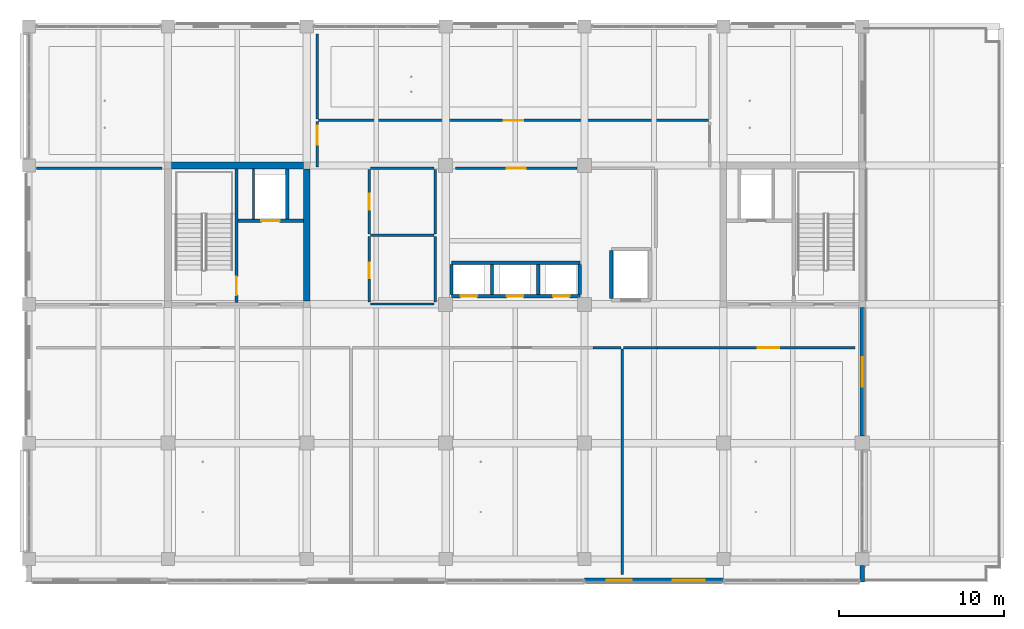
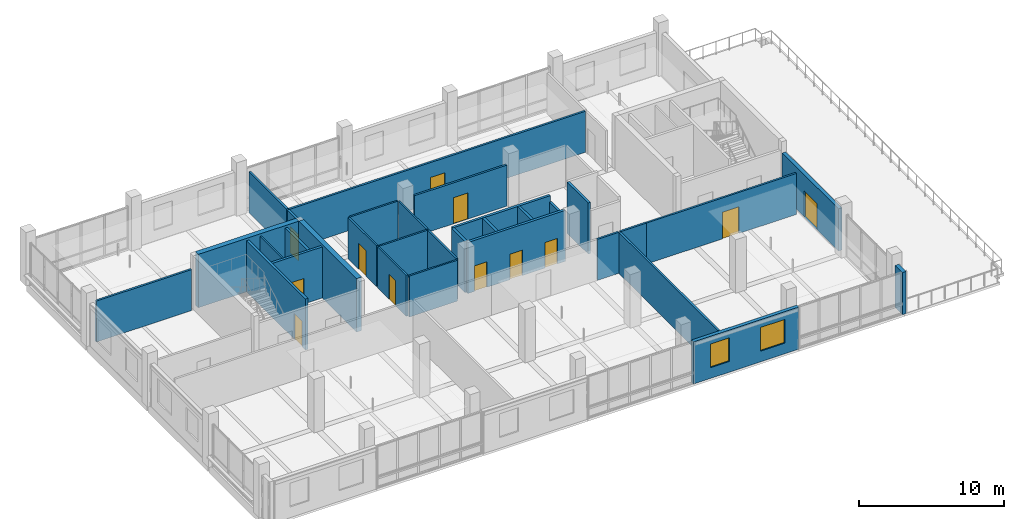
# One storey, part 12 of 36: 32 walls, 12 doors, 2 windows, 14 openings.
"""IFC4 building model written with IfcOpenShell, lengths in metres."""

from ifc_helpers import new_model, si_unit, direction, frame, frame_2d, origin, place, context, subcontext, project, spatial, rectangle, extrude, material, layer, layer_set, type_object, element, fill, save


model = new_model("IFC4")

# Units and contexts
model_context = context("Model", 3, precision=1e-05, world=origin(), true_north=direction((0.0, 1.0)))
body_context = subcontext(model_context, "Body", "Model", "MODEL_VIEW")
ifc_project = project(units=[si_unit("LENGTHUNIT", "METRE"), si_unit("AREAUNIT", "SQUARE_METRE"), si_unit("VOLUMEUNIT", "CUBIC_METRE"), si_unit("PLANEANGLEUNIT", "RADIAN"), si_unit("MASSUNIT", "GRAM", prefix="KILO")], contexts=[model_context])

# Site, building, storey
site_placement = place(None, origin())
site = spatial("IfcSite", under=ifc_project, at=site_placement, CompositionType="ELEMENT")
building_placement = place(site_placement, origin())
building = spatial("IfcBuilding", under=site, at=building_placement, Name="Telukmera Botanical Conservatory", CompositionType="ELEMENT")
storey_placement = place(building_placement, frame((0.0, 0.0, 33.0)))
storey = spatial("IfcBuildingStorey", under=building, at=storey_placement, Name="L07", CompositionType="ELEMENT", Elevation=33.0)

# Wall, openings, windows
ifc_material_1 = material(Name="Precast concrete C40/50", Category="concrete")
ifc_layer_1 = layer(ifc_material_1, 0.280029296875)
ifc_layer_set_1 = layer_set([ifc_layer_1], Name="Precast concrete C40/50")
wall_type_1 = type_object("IfcWallType", Name="Exterior Laboratory Modular Precast Wall 280", PredefinedType="ELEMENTEDWALL", material=ifc_layer_set_1)
wall_1_placement = place(storey_placement, frame((84.001953125, 9.320068359375, 0.0), z_axis=(0.0, 0.0, 1.0), x_axis=(1.0, 0.0, 0.0)))
wall_1 = element("IfcWall", 1, at=wall_1_placement, inside=storey, type_object=wall_type_1, Name="Exterior Precast Wall EW06 V4:L07:S5", PredefinedType="ELEMENTEDWALL", context=body_context, shape_type="SweptSolid", body=[
    extrude(rectangle(XDim=8.39599609375, YDim=0.280029296875, at=frame_2d((4.197998046875, 0.0))), origin(), (0.0, 0.0, 1.0), 3.550048828125),
])
opening_1_placement = place(wall_1_placement, frame((1.34912109375, 0.0, 0.89990234375)))
opening_1 = element("IfcOpeningElement", 2, at=opening_1_placement, cuts=wall_1, Name="Opening W06", PredefinedType="OPENING", context=body_context, shape_type="SweptSolid", body=[
    extrude(rectangle(XDim=1.5, YDim=2.0, at=frame_2d((0.75, 1.0))), frame((0.0, 0.14990234375, 0.0), z_axis=(0.0, -1.0, 0.0), x_axis=(1.0, 0.0, 0.0)), (0.0, 0.0, 1.0), 0.300048828125),
])
opening_2_placement = place(wall_1_placement, frame((5.322021484375, 0.0, 0.89990234375)))
opening_2 = element("IfcOpeningElement", 3, at=opening_2_placement, cuts=wall_1, Name="Opening W13", PredefinedType="OPENING", context=body_context, shape_type="SweptSolid", body=[
    extrude(rectangle(XDim=1.949951171875, YDim=2.0, at=frame_2d((0.97509765625, 1.0))), frame((0.0, 0.14990234375, 0.0), z_axis=(0.0, -1.0, 0.0), x_axis=(1.0, 0.0, 0.0)), (0.0, 0.0, 1.0), 0.300048828125),
])
ifc_material_2 = material(Name="Thermally broken anodised aluminium frame with low-E double glazing", Category="aluminium")
window_type_1 = type_object("IfcWindowType", Name="Double Vertical Laboratory Viewing Window 1500x2000", PartitioningType="DOUBLE_PANEL_VERTICAL", PredefinedType="WINDOW", material=ifc_material_2)
window_1_placement = place(opening_1_placement, origin())
window_1 = element("IfcWindow", 4, at=window_1_placement, inside=storey, type_object=window_type_1, Name="Facade Window W06 V4:L07:S5 1", OverallHeight=2.0, OverallWidth=1.5, PartitioningType="DOUBLE_PANEL_VERTICAL", PredefinedType="WINDOW", context=body_context, shape_type="SweptSolid", body=[
    extrude(rectangle(XDim=1.5, YDim=2.0, at=frame_2d((0.75, 1.0))), frame((0.0, 0.030029296875, 0.0), z_axis=(0.0, -1.0, 0.0), x_axis=(1.0, 0.0, 0.0)), (0.0, 0.0, 1.0), 0.06005859375),
])
fill(opening_1, window_1)
window_type_2 = type_object("IfcWindowType", Name="Triple Vertical Tissue Culture Lab Window 1950x2000", PartitioningType="TRIPLE_PANEL_VERTICAL", PredefinedType="WINDOW", material=ifc_material_2)
window_2_placement = place(opening_2_placement, origin())
window_2 = element("IfcWindow", 5, at=window_2_placement, inside=storey, type_object=window_type_2, Name="Facade Window W13 V4:L07:S5 2", OverallHeight=2.0, OverallWidth=1.949951171875, PartitioningType="TRIPLE_PANEL_VERTICAL", PredefinedType="WINDOW", context=body_context, shape_type="SweptSolid", body=[
    extrude(rectangle(XDim=1.949951171875, YDim=2.0, at=frame_2d((0.97509765625, 1.0))), frame((0.0, 0.030029296875, 0.0), z_axis=(0.0, -1.0, 0.0), x_axis=(1.0, 0.0, 0.0)), (0.0, 0.0, 1.0), 0.06005859375),
])
fill(opening_2, window_2)

# Wall, opening, door
wall_2_placement = place(storey_placement, frame((100.800048828125, 18.027099609375, 0.0), z_axis=(0.0, 0.0, 1.0), x_axis=(0.0, 1.0, 0.0)))
wall_2 = element("IfcWall", 6, at=wall_2_placement, inside=storey, type_object=wall_type_1, Name="Exterior Precast Wall EW06 V4:L07:E2", PredefinedType="ELEMENTEDWALL", context=body_context, shape_type="SweptSolid", body=[
    extrude(rectangle(XDim=7.77099609375, YDim=0.280029296875, at=frame_2d((3.885498046875, 0.0))), origin(), (0.0, 0.0, 1.0), 3.550048828125),
])
opening_3_placement = place(wall_2_placement, frame((2.985595703125, 0.0, 0.0)))
opening_3 = element("IfcOpeningElement", 7, at=opening_3_placement, cuts=wall_2, Name="Opening DT701", PredefinedType="OPENING", context=body_context, shape_type="SweptSolid", body=[
    extrude(rectangle(XDim=1.800048828125, YDim=2.199951171875, at=frame_2d((0.89990234375, 1.10009765625))), frame((0.0, 0.14990234375, 0.0), z_axis=(0.0, -1.0, 0.0), x_axis=(1.0, 0.0, 0.0)), (0.0, 0.0, 1.0), 0.300048828125),
])
ifc_material_3 = material(Name="Thermally broken anodised aluminium glazed door assembly", Category="aluminium")
door_type_1 = type_object("IfcDoorType", Name="Level 07 Botanical Sky Terrace South Glazed Door 1800x2200", OperationType="NOTDEFINED", PredefinedType="DOOR", material=ifc_material_3)
door_1_placement = place(opening_3_placement, frame((1.800048828125, 0.0, 0.0), z_axis=(0.0, 0.0, 1.0), x_axis=(-1.0, 0.0, 0.0)))
door_1 = element("IfcDoor", 8, at=door_1_placement, inside=storey, type_object=door_type_1, Name="Exterior Door DT701", OperationType="DOUBLE_DOOR_SINGLE_SWING", OverallHeight=2.199951171875, OverallWidth=1.800048828125, PredefinedType="DOOR", context=body_context, shape_type="SweptSolid", body=[
    extrude(rectangle(XDim=1.800048828125, YDim=2.199951171875, at=frame_2d((0.89990234375, 1.10009765625))), frame((0.0, 0.02490234375, 0.0), z_axis=(0.0, -1.0, 0.0), x_axis=(1.0, 0.0, 0.0)), (0.0, 0.0, 1.0), 0.050048828125),
])
fill(opening_3, door_1)

# Wall
ifc_material_4 = material(Name="Terracotta-faced precast concrete C40/50", Category="masonry")
ifc_layer_2 = layer(ifc_material_4, 0.300048828125)
ifc_layer_set_2 = layer_set([ifc_layer_2], Name="Terracotta-faced precast concrete C40/50")
wall_type_2 = type_object("IfcWallType", Name="Exterior Polychrome Terracotta Precast Wall 300", PredefinedType="SOLIDWALL", material=ifc_layer_set_2)
wall_3_placement = place(storey_placement, frame((100.800048828125, 9.199951171875, 0.0), z_axis=(0.0, 0.0, 1.0), x_axis=(0.0, 1.0, 0.0)))
element("IfcWall", 9, at=wall_3_placement, inside=storey, type_object=wall_type_2, Name="Exterior Precast Wall EW02 V4:L07:SEC", PredefinedType="SOLIDWALL", context=body_context, shape_type="SweptSolid", body=[
    extrude(rectangle(XDim=0.998046875, YDim=0.300048828125, at=frame_2d((0.4990234375, 0.0))), origin(), (0.0, 0.0, 1.0), 3.550048828125),
])

# Wall, opening, door
ifc_material_5 = material(Name="Concrete C40/50", Category="concrete")
ifc_layer_3 = layer(ifc_material_5, 0.199951171875)
ifc_layer_set_3 = layer_set([ifc_layer_3], Name="Concrete C40/50")
wall_type_3 = type_object("IfcWallType", Name="WT-CORE-200", PredefinedType="SOLIDWALL", material=ifc_layer_set_3)
wall_4_placement = place(storey_placement, frame((62.949951171875, 26.10009765625, 0.0), z_axis=(0.0, 0.0, 1.0), x_axis=(0.0, 1.0, 0.0)))
wall_4 = element("IfcWall", 10, at=wall_4_placement, inside=storey, type_object=wall_type_3, Name="L07 Core C1 Stair-Lobby Wall", PredefinedType="SOLIDWALL", context=body_context, shape_type="SweptSolid", body=[
    extrude(rectangle(XDim=8.099853515625, YDim=0.199951171875, at=frame_2d((4.0498046875, 0.0))), origin(), (0.0, 0.0, 1.0), 4.300048828125),
])
opening_4_placement = place(wall_4_placement, frame((0.449951171875, 0.0, 0.0)))
opening_4 = element("IfcOpeningElement", 11, at=opening_4_placement, cuts=wall_4, Name="Opening FD60B", PredefinedType="OPENING", context=body_context, shape_type="SweptSolid", body=[
    extrude(rectangle(XDim=1.1201171875, YDim=2.14990234375, at=frame_2d((0.56005859375, 1.074951171875))), frame((0.0, 0.10986328125, 0.0), z_axis=(0.0, -1.0, 0.0), x_axis=(1.0, 0.0, 0.0)), (0.0, 0.0, 1.0), 0.219970703125),
])
ifc_material_6 = material(Name="Hardwood fire door", Category="wood")
door_type_2 = type_object("IfcDoorType", Name="DT-FD60-02", OperationType="NOTDEFINED", PredefinedType="DOOR", material=ifc_material_6)
door_2_placement = place(opening_4_placement, origin())
door_2 = element("IfcDoor", 12, at=door_2_placement, inside=storey, type_object=door_type_2, Name="L07 Firefighting Lobby C1 to ST1 Door", OperationType="SINGLE_SWING_RIGHT", OverallHeight=2.14990234375, OverallWidth=1.1201171875, PredefinedType="DOOR", context=body_context, shape_type="SweptSolid", body=[
    extrude(rectangle(XDim=1.1201171875, YDim=2.14990234375, at=frame_2d((0.56005859375, 1.074951171875))), frame((0.0, 0.02490234375, 0.0), z_axis=(0.0, -1.0, 0.0), x_axis=(1.0, 0.0, 0.0)), (0.0, 0.0, 1.0), 0.050048828125),
])
fill(opening_4, door_2)

wall_5_placement = place(storey_placement, frame((63.050048828125, 31.050048828125, 0.0), z_axis=(0.0, 0.0, 1.0), x_axis=(1.0, 0.0, 0.0)))
wall_5 = element("IfcWall", 13, at=wall_5_placement, inside=storey, type_object=wall_type_3, Name="L07 Fire Lift FL1 Shaft Front Wall", PredefinedType="SOLIDWALL", context=body_context, shape_type="SweptSolid", body=[
    extrude(rectangle(XDim=3.949951171875, YDim=0.199951171875, at=frame_2d((1.97509765625, 0.0))), origin(), (0.0, 0.0, 1.0), 4.300048828125),
])
opening_5_placement = place(wall_5_placement, frame((1.39990234375, 0.0, 0.0)))
opening_5 = element("IfcOpeningElement", 14, at=opening_5_placement, cuts=wall_5, Name="Opening LD01", PredefinedType="OPENING", context=body_context, shape_type="SweptSolid", body=[
    extrude(rectangle(XDim=1.10009765625, YDim=2.14990234375, at=frame_2d((0.550048828125, 1.074951171875))), frame((0.0, 0.10986328125, 0.0), z_axis=(0.0, -1.0, 0.0), x_axis=(1.0, 0.0, 0.0)), (0.0, 0.0, 1.0), 0.219970703125),
])
ifc_material_7 = material(Name="Stainless steel 316", Category="steel")
door_type_3 = type_object("IfcDoorType", Name="DT-LD01", OperationType="SLIDING_TO_LEFT", PredefinedType="DOOR", material=ifc_material_7)
door_3_placement = place(opening_5_placement, frame((1.10009765625, 0.0, 0.0), z_axis=(0.0, 0.0, 1.0), x_axis=(-1.0, 0.0, 0.0)))
door_3 = element("IfcDoor", 15, at=door_3_placement, inside=storey, type_object=door_type_3, Name="L07 Lift Landing Door FL1", OperationType="SLIDING_TO_LEFT", OverallHeight=2.14990234375, OverallWidth=1.10009765625, PredefinedType="DOOR", context=body_context, shape_type="SweptSolid", body=[
    extrude(rectangle(XDim=1.10009765625, YDim=2.14990234375, at=frame_2d((0.550048828125, 1.074951171875))), frame((0.0, 0.02490234375, 0.0), z_axis=(0.0, -1.0, 0.0), x_axis=(1.0, 0.0, 0.0)), (0.0, 0.0, 1.0), 0.050048828125),
])
fill(opening_5, door_3)

# Wall
wall_6_placement = place(storey_placement, frame((66.02001953125, 31.14990234375, 0.0), z_axis=(0.0, 0.0, 1.0), x_axis=(0.0, 1.0, 0.0)))
element("IfcWall", 16, at=wall_6_placement, inside=storey, type_object=wall_type_3, Name="L07 Fire Lift FL1 Shaft East Wall", PredefinedType="SOLIDWALL", context=body_context, shape_type="SweptSolid", body=[
    extrude(rectangle(XDim=3.050048828125, YDim=0.199951171875, at=frame_2d((1.52490234375, 0.0))), origin(), (0.0, 0.0, 1.0), 4.300048828125),
])

# Wall, openings, doors
wall_7_placement = place(storey_placement, frame((75.949951171875, 26.47998046875, 0.0), z_axis=(0.0, 0.0, 1.0), x_axis=(1.0, 0.0, 0.0)))
wall_7 = element("IfcWall", 17, at=wall_7_placement, inside=storey, type_object=wall_type_3, Name="L07 Passenger Lift Bank Front Wall", PredefinedType="SOLIDWALL", context=body_context, shape_type="SweptSolid", body=[
    extrude(rectangle(XDim=7.77001953125, YDim=0.199951171875, at=frame_2d((3.885009765625, 0.0))), origin(), (0.0, 0.0, 1.0), 4.300048828125),
])
opening_6_placement = place(wall_7_placement, frame((0.550048828125, 0.0, 0.0)))
opening_6 = element("IfcOpeningElement", 18, at=opening_6_placement, cuts=wall_7, Name="Opening LD03", PredefinedType="OPENING", context=body_context, shape_type="SweptSolid", body=[
    extrude(rectangle(XDim=1.0, YDim=2.14990234375, at=frame_2d((0.5, 1.074951171875))), frame((0.0, 0.10986328125, 0.0), z_axis=(0.0, -1.0, 0.0), x_axis=(1.0, 0.0, 0.0)), (0.0, 0.0, 1.0), 0.219970703125),
])
opening_7_placement = place(wall_7_placement, frame((3.35009765625, 0.0, 0.0)))
opening_7 = element("IfcOpeningElement", 19, at=opening_7_placement, cuts=wall_7, Name="Opening LD03", PredefinedType="OPENING", context=body_context, shape_type="SweptSolid", body=[
    extrude(rectangle(XDim=1.0, YDim=2.14990234375, at=frame_2d((0.5, 1.074951171875))), frame((0.0, 0.10986328125, 0.0), z_axis=(0.0, -1.0, 0.0), x_axis=(1.0, 0.0, 0.0)), (0.0, 0.0, 1.0), 0.219970703125),
])
opening_8_placement = place(wall_7_placement, frame((6.14990234375, 0.0, 0.0)))
opening_8 = element("IfcOpeningElement", 20, at=opening_8_placement, cuts=wall_7, Name="Opening LD03", PredefinedType="OPENING", context=body_context, shape_type="SweptSolid", body=[
    extrude(rectangle(XDim=1.0, YDim=2.14990234375, at=frame_2d((0.5, 1.074951171875))), frame((0.0, 0.10986328125, 0.0), z_axis=(0.0, -1.0, 0.0), x_axis=(1.0, 0.0, 0.0)), (0.0, 0.0, 1.0), 0.219970703125),
])
door_type_4 = type_object("IfcDoorType", Name="DT-LD03", OperationType="SLIDING_TO_LEFT", PredefinedType="DOOR", material=ifc_material_7)
door_4_placement = place(opening_6_placement, frame((1.0, 0.0, 0.0), z_axis=(0.0, 0.0, 1.0), x_axis=(-1.0, 0.0, 0.0)))
door_4 = element("IfcDoor", 21, at=door_4_placement, inside=storey, type_object=door_type_4, Name="L07 Lift Landing Door PL1", OperationType="SLIDING_TO_LEFT", OverallHeight=2.14990234375, OverallWidth=1.0, PredefinedType="DOOR", context=body_context, shape_type="SweptSolid", body=[
    extrude(rectangle(XDim=1.0, YDim=2.14990234375, at=frame_2d((0.5, 1.074951171875))), frame((0.0, 0.02490234375, 0.0), z_axis=(0.0, -1.0, 0.0), x_axis=(1.0, 0.0, 0.0)), (0.0, 0.0, 1.0), 0.050048828125),
])
fill(opening_6, door_4)
door_5_placement = place(opening_7_placement, frame((1.0, 0.0, 0.0), z_axis=(0.0, 0.0, 1.0), x_axis=(-1.0, 0.0, 0.0)))
door_5 = element("IfcDoor", 22, at=door_5_placement, inside=storey, type_object=door_type_4, Name="L07 Lift Landing Door PL2", OperationType="SLIDING_TO_LEFT", OverallHeight=2.14990234375, OverallWidth=1.0, PredefinedType="DOOR", context=body_context, shape_type="SweptSolid", body=[
    extrude(rectangle(XDim=1.0, YDim=2.14990234375, at=frame_2d((0.5, 1.074951171875))), frame((0.0, 0.02490234375, 0.0), z_axis=(0.0, -1.0, 0.0), x_axis=(1.0, 0.0, 0.0)), (0.0, 0.0, 1.0), 0.050048828125),
])
fill(opening_7, door_5)
door_6_placement = place(opening_8_placement, frame((1.0, 0.0, 0.0), z_axis=(0.0, 0.0, 1.0), x_axis=(-1.0, 0.0, 0.0)))
door_6 = element("IfcDoor", 23, at=door_6_placement, inside=storey, type_object=door_type_4, Name="L07 Lift Landing Door PL3", OperationType="SLIDING_TO_LEFT", OverallHeight=2.14990234375, OverallWidth=1.0, PredefinedType="DOOR", context=body_context, shape_type="SweptSolid", body=[
    extrude(rectangle(XDim=1.0, YDim=2.14990234375, at=frame_2d((0.5, 1.074951171875))), frame((0.0, 0.02490234375, 0.0), z_axis=(0.0, -1.0, 0.0), x_axis=(1.0, 0.0, 0.0)), (0.0, 0.0, 1.0), 0.050048828125),
])
fill(opening_8, door_6)

# Walls
wall_8_placement = place(storey_placement, frame((75.949951171875, 28.52001953125, 0.0), z_axis=(0.0, 0.0, 1.0), x_axis=(1.0, 0.0, 0.0)))
element("IfcWall", 24, at=wall_8_placement, inside=storey, type_object=wall_type_3, Name="L07 Passenger Lift Bank Rear Wall", PredefinedType="SOLIDWALL", context=body_context, shape_type="SweptSolid", body=[
    extrude(rectangle(XDim=7.77001953125, YDim=0.199951171875, at=frame_2d((3.885009765625, 0.0))), origin(), (0.0, 0.0, 1.0), 4.300048828125),
])
for number, where, z_axis, x_axis, name in (
    (25, (75.949951171875, 26.580078125, 0.0), (0.0, 0.0, 1.0), (0.0, 1.0, 0.0), "L07 Passenger Lift Shaft Wall 1"),
    (26, (78.39990234375, 26.580078125, 0.0), (0.0, 0.0, 1.0), (0.0, 1.0, 0.0), "L07 Passenger Lift Shaft Wall 2"),
    (27, (81.199951171875, 26.580078125, 0.0), (0.0, 0.0, 1.0), (0.0, 1.0, 0.0), "L07 Passenger Lift Shaft Wall 3"),
):
    element("IfcWall", number, at=place(storey_placement, frame(where, z_axis=z_axis, x_axis=x_axis)), inside=storey, type_object=wall_type_3, Name=name, PredefinedType="SOLIDWALL", context=body_context, shape_type="SweptSolid", body=[
        extrude(rectangle(XDim=1.83984375, YDim=0.199951171875, at=frame_2d((0.919921875, 0.0))), origin(), (0.0, 0.0, 1.0), 4.300048828125),
    ])
wall_9_placement = place(storey_placement, frame((83.719970703125, 26.580078125, 0.0), z_axis=(0.0, 0.0, 1.0), x_axis=(0.0, 1.0, 0.0)))
element("IfcWall", 28, at=wall_9_placement, inside=storey, type_object=wall_type_3, Name="L07 Passenger Lift Shaft Wall 4", PredefinedType="SOLIDWALL", context=body_context, shape_type="SweptSolid", body=[
    extrude(rectangle(XDim=1.83984375, YDim=0.199951171875, at=frame_2d((0.919921875, 0.0))), origin(), (0.0, 0.0, 1.0), 3.780029296875),
])
wall_10_placement = place(storey_placement, frame((85.6201171875, 26.35009765625, 0.0), z_axis=(0.0, 0.0, 1.0), x_axis=(0.0, 1.0, 0.0)))
element("IfcWall", 29, at=wall_10_placement, inside=storey, type_object=wall_type_3, Name="L07 Goods Lift GL1 Side Wall 1", PredefinedType="SOLIDWALL", context=body_context, shape_type="SweptSolid", body=[
    extrude(rectangle(XDim=2.89990234375, YDim=0.199951171875, at=frame_2d((1.449951171875, 0.0))), origin(), (0.0, 0.0, 1.0), 4.300048828125),
])

# Wall, opening, door
ifc_material_8 = material(Name="Gypsum acoustic stud partition")
ifc_layer_4 = layer(ifc_material_8, 0.159912109375)
ifc_layer_set_4 = layer_set([ifc_layer_4], Name="Gypsum acoustic stud partition")
wall_type_4 = type_object("IfcWallType", Name="WT-LAB-160", PredefinedType="PARTITIONING", material=ifc_layer_set_4)
wall_11_placement = place(storey_placement, frame((76.199951171875, 34.22509765625, 0.0), z_axis=(0.0, 0.0, 1.0), x_axis=(1.0, 0.0, 0.0)))
wall_11 = element("IfcWall", 30, at=wall_11_placement, inside=storey, type_object=wall_type_4, Name="L07 Interior Partition 07", PredefinedType="PARTITIONING", context=body_context, shape_type="SweptSolid", body=[
    extrude(rectangle(XDim=7.344970703125, YDim=0.159912109375, at=frame_2d((3.67236328125, 0.0))), origin(), (0.0, 0.0, 1.0), 3.449951171875),
])
opening_9_placement = place(wall_11_placement, frame((3.092529296875, 0.0, 0.0)))
opening_9 = element("IfcOpeningElement", 31, at=opening_9_placement, cuts=wall_11, Name="Opening ID09", PredefinedType="OPENING", context=body_context, shape_type="SweptSolid", body=[
    extrude(rectangle(XDim=1.159912109375, YDim=2.199951171875, at=frame_2d((0.580078125, 1.10009765625))), frame((0.0, 0.08984375, 0.0), z_axis=(0.0, -1.0, 0.0), x_axis=(1.0, 0.0, 0.0)), (0.0, 0.0, 1.0), 0.179931640625),
])
ifc_material_9 = material(Name="Phenolic faced laboratory fire door")
door_type_5 = type_object("IfcDoorType", Name="DT-LAB-116", OperationType="NOTDEFINED", PredefinedType="DOOR", material=ifc_material_9)
door_7_placement = place(opening_9_placement, frame((1.159912109375, 0.0, 0.0), z_axis=(0.0, 0.0, 1.0), x_axis=(-1.0, 0.0, 0.0)))
door_7 = element("IfcDoor", 32, at=door_7_placement, inside=storey, type_object=door_type_5, Name="L07 Autoclave and Media Preparation Room Door", OperationType="SINGLE_SWING_LEFT", OverallHeight=2.199951171875, OverallWidth=1.159912109375, PredefinedType="DOOR", context=body_context, shape_type="SweptSolid", body=[
    extrude(rectangle(XDim=1.159912109375, YDim=2.199951171875, at=frame_2d((0.580078125, 1.10009765625))), frame((0.0, 0.02490234375, 0.0), z_axis=(0.0, -1.0, 0.0), x_axis=(1.0, 0.0, 0.0)), (0.0, 0.0, 1.0), 0.050048828125),
])
fill(opening_9, door_7)

# Walls
wall_12_placement = place(storey_placement, frame((50.85009765625, 34.22509765625, 0.0), z_axis=(0.0, 0.0, 1.0), x_axis=(1.0, 0.0, 0.0)))
element("IfcWall", 33, at=wall_12_placement, inside=storey, type_object=wall_type_4, Name="L07 Interior Partition 10", PredefinedType="PARTITIONING", context=body_context, shape_type="SweptSolid", body=[
    extrude(rectangle(XDim=7.599853515625, YDim=0.159912109375, at=frame_2d((3.7998046875, 0.0))), origin(), (0.0, 0.0, 1.0), 3.449951171875),
])
wall_13_placement = place(storey_placement, frame((84.510009765625, 23.375, 0.0), z_axis=(0.0, 0.0, 1.0), x_axis=(1.0, 0.0, 0.0)))
element("IfcWall", 34, at=wall_13_placement, inside=storey, type_object=wall_type_4, Name="L07 Interior Partition 12", PredefinedType="PARTITIONING", context=body_context, shape_type="SweptSolid", body=[
    extrude(rectangle(XDim=1.68994140625, YDim=0.159912109375, at=frame_2d((0.844970703125, 0.0))), origin(), (0.0, 0.0, 1.0), 3.449951171875),
])
wall_14_placement = place(storey_placement, frame((86.27490234375, 9.64990234375, 0.0), z_axis=(0.0, 0.0, 1.0), x_axis=(0.0, 1.0, 0.0)))
element("IfcWall", 35, at=wall_14_placement, inside=storey, type_object=wall_type_4, Name="L07 Interior Partition 18", PredefinedType="PARTITIONING", context=body_context, shape_type="SweptSolid", body=[
    extrude(rectangle(XDim=13.635009765625, YDim=0.159912109375, at=frame_2d((6.8173828125, 0.0))), origin(), (0.0, 0.0, 1.0), 3.449951171875),
])

# Wall, opening, door
wall_15_placement = place(storey_placement, frame((67.824951171875, 34.300048828125, 0.0), z_axis=(0.0, 0.0, 1.0), x_axis=(0.0, 1.0, 0.0)))
wall_15 = element("IfcWall", 36, at=wall_15_placement, inside=storey, type_object=wall_type_4, Name="L07 Interior Partition 19", PredefinedType="PARTITIONING", context=body_context, shape_type="SweptSolid", body=[
    extrude(rectangle(XDim=2.75, YDim=0.159912109375, at=frame_2d((1.375, 0.0))), origin(), (0.0, 0.0, 1.0), 3.449951171875),
])
opening_10_placement = place(wall_15_placement, frame((1.340087890625, 0.0, 0.0)))
opening_10 = element("IfcOpeningElement", 37, at=opening_10_placement, cuts=wall_15, Name="Opening ID09", PredefinedType="OPENING", context=body_context, shape_type="SweptSolid", body=[
    extrude(rectangle(XDim=1.159912109375, YDim=2.199951171875, at=frame_2d((0.580078125, 1.10009765625))), frame((0.0, 0.08984375, 0.0), z_axis=(0.0, -1.0, 0.0), x_axis=(1.0, 0.0, 0.0)), (0.0, 0.0, 1.0), 0.179931640625),
])
door_8_placement = place(opening_10_placement, origin())
door_8 = element("IfcDoor", 38, at=door_8_placement, inside=storey, type_object=door_type_5, Name="L07 Molecular Systematics Laboratory Door", OperationType="SINGLE_SWING_RIGHT", OverallHeight=2.199951171875, OverallWidth=1.159912109375, PredefinedType="DOOR", context=body_context, shape_type="SweptSolid", body=[
    extrude(rectangle(XDim=1.159912109375, YDim=2.199951171875, at=frame_2d((0.580078125, 1.10009765625))), frame((0.0, 0.02490234375, 0.0), z_axis=(0.0, -1.0, 0.0), x_axis=(1.0, 0.0, 0.0)), (0.0, 0.0, 1.0), 0.050048828125),
])
fill(opening_10, door_8)

wall_16_placement = place(storey_placement, frame((67.9150390625, 37.125, 0.0), z_axis=(0.0, 0.0, 1.0), x_axis=(1.0, 0.0, 0.0)))
wall_16 = element("IfcWall", 39, at=wall_16_placement, inside=storey, type_object=wall_type_4, Name="L07 Interior Partition 20", PredefinedType="PARTITIONING", context=body_context, shape_type="SweptSolid", body=[
    extrude(rectangle(XDim=23.5849609375, YDim=0.159912109375, at=frame_2d((11.79248046875, 0.0))), origin(), (0.0, 0.0, 1.0), 3.449951171875),
])
opening_11_placement = place(wall_16_placement, frame((11.21240234375, 0.0, 0.0)))
opening_11 = element("IfcOpeningElement", 40, at=opening_11_placement, cuts=wall_16, Name="Opening ID09", PredefinedType="OPENING", context=body_context, shape_type="SweptSolid", body=[
    extrude(rectangle(XDim=1.159912109375, YDim=2.199951171875, at=frame_2d((0.580078125, 1.10009765625))), frame((0.0, 0.08984375, 0.0), z_axis=(0.0, -1.0, 0.0), x_axis=(1.0, 0.0, 0.0)), (0.0, 0.0, 1.0), 0.179931640625),
])
door_9_placement = place(opening_11_placement, origin())
door_9 = element("IfcDoor", 41, at=door_9_placement, inside=storey, type_object=door_type_5, Name="L07 Phylogenetics Research Laboratory Door", OperationType="SINGLE_SWING_LEFT", OverallHeight=2.199951171875, OverallWidth=1.159912109375, PredefinedType="DOOR", context=body_context, shape_type="SweptSolid", body=[
    extrude(rectangle(XDim=1.159912109375, YDim=2.199951171875, at=frame_2d((0.580078125, 1.10009765625))), frame((0.0, 0.02490234375, 0.0), z_axis=(0.0, -1.0, 0.0), x_axis=(1.0, 0.0, 0.0)), (0.0, 0.0, 1.0), 0.050048828125),
])
fill(opening_11, door_9)

# Walls
wall_17_placement = place(storey_placement, frame((67.824951171875, 37.199951171875, 0.0), z_axis=(0.0, 0.0, 1.0), x_axis=(0.0, 1.0, 0.0)))
element("IfcWall", 42, at=wall_17_placement, inside=storey, type_object=wall_type_4, Name="L07 Interior Partition 22", PredefinedType="PARTITIONING", context=body_context, shape_type="SweptSolid", body=[
    extrude(rectangle(XDim=5.150146484375, YDim=0.159912109375, at=frame_2d((2.5751953125, 0.0))), origin(), (0.0, 0.0, 1.0), 3.449951171875),
])
ifc_material_10 = material(Name="Gypsum shaftwall liner")
ifc_layer_5 = layer(ifc_material_10, 0.110107421875)
ifc_layer_set_5 = layer_set([ifc_layer_5], Name="Gypsum shaftwall liner")
wall_type_5 = type_object("IfcWallType", Name="WT-RISER-110", PredefinedType="PARTITIONING", material=ifc_layer_set_5)
wall_18_placement = place(storey_placement, frame((63.97998046875, 31.14990234375, 0.0), z_axis=(0.0, 0.0, 1.0), x_axis=(0.0, 1.0, 0.0)))
element("IfcWall", 43, at=wall_18_placement, inside=storey, type_object=wall_type_5, Name="L07 Wet Riser C1 Shaft Wall", PredefinedType="PARTITIONING", context=body_context, shape_type="SweptSolid", body=[
    extrude(rectangle(XDim=3.050048828125, YDim=0.110107421875, at=frame_2d((1.52490234375, 0.0))), origin(), (0.0, 0.0, 1.0), 4.300048828125),
])
ifc_layer_6 = layer(ifc_material_8, 0.14990234375)
ifc_layer_set_6 = layer_set([ifc_layer_6], Name="Gypsum acoustic stud partition")
wall_type_6 = type_object("IfcWallType", Name="WT-STD-150", PredefinedType="PARTITIONING", material=ifc_layer_set_6)
wall_19_placement = place(storey_placement, frame((86.35009765625, 23.375, 0.0), z_axis=(0.0, 0.0, 1.0), x_axis=(1.0, 0.0, 0.0)))
element("IfcWall", 44, at=wall_19_placement, inside=storey, type_object=wall_type_6, Name="L07 Interior Partition 13", PredefinedType="PARTITIONING", context=body_context, shape_type="SweptSolid", body=[
    extrude(rectangle(XDim=2.0498046875, YDim=0.14990234375, at=frame_2d((1.02490234375, 0.0))), origin(), (0.0, 0.0, 1.0), 3.449951171875),
])

# Wall, opening, door
wall_20_placement = place(storey_placement, frame((88.409912109375, 23.375, 0.0), z_axis=(0.0, 0.0, 1.0), x_axis=(1.0, 0.0, 0.0)))
wall_20 = element("IfcWall", 45, at=wall_20_placement, inside=storey, type_object=wall_type_6, Name="L07 Interior Partition 16", PredefinedType="PARTITIONING", context=body_context, shape_type="SweptSolid", body=[
    extrude(rectangle(XDim=11.940185546875, YDim=0.14990234375, at=frame_2d((5.97021484375, 0.0))), origin(), (0.0, 0.0, 1.0), 3.449951171875),
])
opening_12_placement = place(wall_20_placement, frame((6.065673828125, 0.0, 0.0)))
opening_12 = element("IfcOpeningElement", 46, at=opening_12_placement, cuts=wall_20, Name="Opening ID07", PredefinedType="OPENING", context=body_context, shape_type="SweptSolid", body=[
    extrude(rectangle(XDim=1.300048828125, YDim=2.25, at=frame_2d((0.64990234375, 1.125))), frame((0.0, 0.0849609375, 0.0), z_axis=(0.0, -1.0, 0.0), x_axis=(1.0, 0.0, 0.0)), (0.0, 0.0, 1.0), 0.169921875),
])
ifc_material_11 = material(Name="Acoustic timber seminar door", Category="wood")
door_type_6 = type_object("IfcDoorType", Name="DT-SEM-130", OperationType="NOTDEFINED", PredefinedType="DOOR", material=ifc_material_11)
door_10_placement = place(opening_12_placement, frame((1.300048828125, 0.0, 0.0), z_axis=(0.0, 0.0, 1.0), x_axis=(-1.0, 0.0, 0.0)))
door_10 = element("IfcDoor", 47, at=door_10_placement, inside=storey, type_object=door_type_6, Name="L07 Symposium Seminar Room Door", OperationType="SINGLE_SWING_LEFT", OverallHeight=2.25, OverallWidth=1.300048828125, PredefinedType="DOOR", context=body_context, shape_type="SweptSolid", body=[
    extrude(rectangle(XDim=1.300048828125, YDim=2.25, at=frame_2d((0.64990234375, 1.125))), frame((0.0, 0.02490234375, 0.0), z_axis=(0.0, -1.0, 0.0), x_axis=(1.0, 0.0, 0.0)), (0.0, 0.0, 1.0), 0.050048828125),
])
fill(opening_12, door_10)

ifc_material_12 = material(Name="Moisture-resistant blockwork", Category="masonry")
ifc_layer_7 = layer(ifc_material_12, 0.135009765625)
ifc_layer_set_7 = layer_set([ifc_layer_7], Name="Moisture-resistant blockwork")
wall_type_7 = type_object("IfcWallType", Name="WT-WC-135", PredefinedType="PARTITIONING", material=ifc_layer_set_7)
wall_21_placement = place(storey_placement, frame((70.97509765625, 26.14990234375, 0.0), z_axis=(0.0, 0.0, 1.0), x_axis=(0.0, 1.0, 0.0)))
wall_21 = element("IfcWall", 48, at=wall_21_placement, inside=storey, type_object=wall_type_7, Name="L07 Interior Partition 01", PredefinedType="PARTITIONING", context=body_context, shape_type="SweptSolid", body=[
    extrude(rectangle(XDim=3.9501953125, YDim=0.135009765625, at=frame_2d((1.97509765625, 0.0))), origin(), (0.0, 0.0, 1.0), 3.449951171875),
])
opening_13_placement = place(wall_21_placement, frame((1.440673828125, 0.0, 0.0)))
opening_13 = element("IfcOpeningElement", 49, at=opening_13_placement, cuts=wall_21, Name="Opening ID17", PredefinedType="OPENING", context=body_context, shape_type="SweptSolid", body=[
    extrude(rectangle(XDim=0.919921875, YDim=2.1201171875, at=frame_2d((0.4599609375, 1.06005859375))), frame((0.0, 0.077392578125, 0.0), z_axis=(0.0, -1.0, 0.0), x_axis=(1.0, 0.0, 0.0)), (0.0, 0.0, 1.0), 0.155029296875),
])
ifc_material_13 = material(Name="Moisture-resistant laminate WC door")
door_type_7 = type_object("IfcDoorType", Name="DT-WC-092", OperationType="NOTDEFINED", PredefinedType="DOOR", material=ifc_material_13)
door_11_placement = place(opening_13_placement, origin())
door_11 = element("IfcDoor", 50, at=door_11_placement, inside=storey, type_object=door_type_7, Name="L07 Public WC Door", OperationType="SINGLE_SWING_LEFT", OverallHeight=2.1201171875, OverallWidth=0.919921875, PredefinedType="DOOR", context=body_context, shape_type="SweptSolid", body=[
    extrude(rectangle(XDim=0.919921875, YDim=2.1201171875, at=frame_2d((0.4599609375, 1.06005859375))), frame((0.0, 0.02490234375, 0.0), z_axis=(0.0, -1.0, 0.0), x_axis=(1.0, 0.0, 0.0)), (0.0, 0.0, 1.0), 0.050048828125),
])
fill(opening_13, door_11)

wall_22_placement = place(storey_placement, frame((70.97509765625, 30.25, 0.0), z_axis=(0.0, 0.0, 1.0), x_axis=(0.0, 1.0, 0.0)))
wall_22 = element("IfcWall", 51, at=wall_22_placement, inside=storey, type_object=wall_type_7, Name="L07 Interior Partition 02", PredefinedType="PARTITIONING", context=body_context, shape_type="SweptSolid", body=[
    extrude(rectangle(XDim=3.89990234375, YDim=0.135009765625, at=frame_2d((1.949951171875, 0.0))), origin(), (0.0, 0.0, 1.0), 3.449951171875),
])
opening_14_placement = place(wall_22_placement, frame((1.4599609375, 0.0, 0.0)))
opening_14 = element("IfcOpeningElement", 52, at=opening_14_placement, cuts=wall_22, Name="Opening ID15", PredefinedType="OPENING", context=body_context, shape_type="SweptSolid", body=[
    extrude(rectangle(XDim=0.97998046875, YDim=2.14990234375, at=frame_2d((0.489990234375, 1.074951171875))), frame((0.0, 0.077392578125, 0.0), z_axis=(0.0, -1.0, 0.0), x_axis=(1.0, 0.0, 0.0)), (0.0, 0.0, 1.0), 0.155029296875),
])
ifc_material_14 = material(Name="Accessible sanitary laminate door")
door_type_8 = type_object("IfcDoorType", Name="DT-OKU-098", OperationType="NOTDEFINED", PredefinedType="DOOR", material=ifc_material_14)
door_12_placement = place(opening_14_placement, origin())
door_12 = element("IfcDoor", 53, at=door_12_placement, inside=storey, type_object=door_type_8, Name="L07 Accessible WC Door", OperationType="SINGLE_SWING_RIGHT", OverallHeight=2.14990234375, OverallWidth=0.97998046875, PredefinedType="DOOR", context=body_context, shape_type="SweptSolid", body=[
    extrude(rectangle(XDim=0.97998046875, YDim=2.14990234375, at=frame_2d((0.489990234375, 1.074951171875))), frame((0.0, 0.02490234375, 0.0), z_axis=(0.0, -1.0, 0.0), x_axis=(1.0, 0.0, 0.0)), (0.0, 0.0, 1.0), 0.050048828125),
])
fill(opening_14, door_12)

# Walls
for number, where, z_axis, x_axis, name in (
    (54, (71.050048828125, 30.175048828125, 0.0), (0.0, 0.0, 1.0), (1.0, 0.0, 0.0), "L07 Interior Partition 03"),
    (55, (71.050048828125, 26.02490234375, 0.0), (0.0, 0.0, 1.0), (1.0, 0.0, 0.0), "L07 Interior Partition 04"),
    (56, (71.050048828125, 34.22509765625, 0.0), (0.0, 0.0, 1.0), (1.0, 0.0, 0.0), "L07 Interior Partition 05"),
):
    element("IfcWall", number, at=place(storey_placement, frame(where, z_axis=z_axis, x_axis=x_axis)), inside=storey, type_object=wall_type_7, Name=name, PredefinedType="PARTITIONING", context=body_context, shape_type="SweptSolid", body=[
        extrude(rectangle(XDim=3.849853515625, YDim=0.135009765625, at=frame_2d((1.9248046875, 0.0))), origin(), (0.0, 0.0, 1.0), 3.449951171875),
    ])
wall_23_placement = place(storey_placement, frame((74.967529296875, 26.14990234375, 0.0), z_axis=(0.0, 0.0, 1.0), x_axis=(0.0, 1.0, 0.0)))
element("IfcWall", 57, at=wall_23_placement, inside=storey, type_object=wall_type_7, Name="L07 WC Enclosure Partition 01", PredefinedType="PARTITIONING", context=body_context, shape_type="SweptSolid", body=[
    extrude(rectangle(XDim=3.947509765625, YDim=0.135009765625, at=frame_2d((1.9736328125, 0.0))), origin(), (0.0, 0.0, 1.0), 3.449951171875),
])
wall_24_placement = place(storey_placement, frame((74.967529296875, 30.25244140625, 0.0), z_axis=(0.0, 0.0, 1.0), x_axis=(0.0, 1.0, 0.0)))
element("IfcWall", 58, at=wall_24_placement, inside=storey, type_object=wall_type_7, Name="L07 WC Enclosure Partition 02", PredefinedType="PARTITIONING", context=body_context, shape_type="SweptSolid", body=[
    extrude(rectangle(XDim=3.89501953125, YDim=0.135009765625, at=frame_2d((1.947509765625, 0.0))), origin(), (0.0, 0.0, 1.0), 3.449951171875),
])
ifc_material_15 = material(Name="Concrete C50/60", Category="concrete")
ifc_layer_8 = layer(ifc_material_15, 0.39990234375)
ifc_layer_set_8 = layer_set([ifc_layer_8], Name="Concrete C50/60")
wall_type_8 = type_object("IfcWallType", Name="Wall_CW1", PredefinedType="SHEAR", material=ifc_layer_set_8)
for number, where, z_axis, x_axis, name in (
    (59, (67.199951171875, 26.199951171875, 0.0), (0.0, 0.0, 1.0), (0.0, 1.0, 0.0), "Core C1 Shear Wall East L07"),
    (60, (59.0, 34.39990234375, 0.0), (0.0, 0.0, 1.0), (1.0, 0.0, 0.0), "Core C1 Shear Wall North L07"),
):
    element("IfcWall", number, at=place(storey_placement, frame(where, z_axis=z_axis, x_axis=x_axis)), inside=storey, type_object=wall_type_8, Name=name, PredefinedType="SHEAR", context=body_context, shape_type="SweptSolid", body=[
        extrude(rectangle(XDim=8.0, YDim=0.39990234375, at=frame_2d((4.0, 0.0))), origin(), (0.0, 0.0, 1.0), 4.5),
    ])

save(model, "model.ifc")
